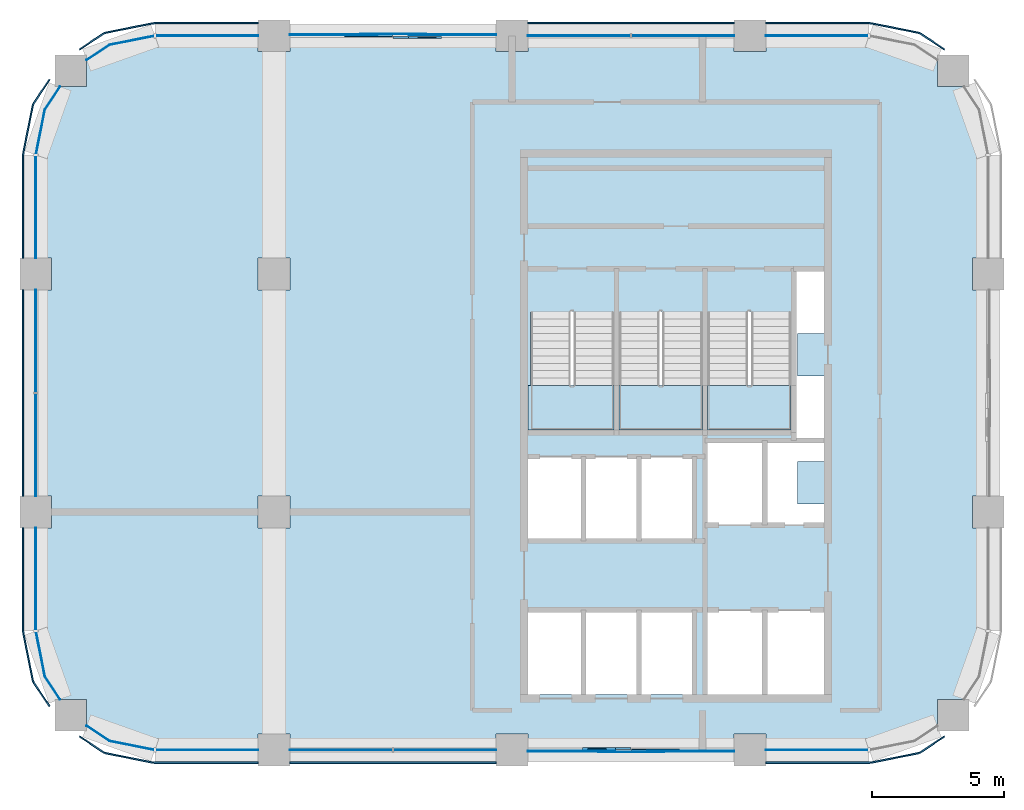
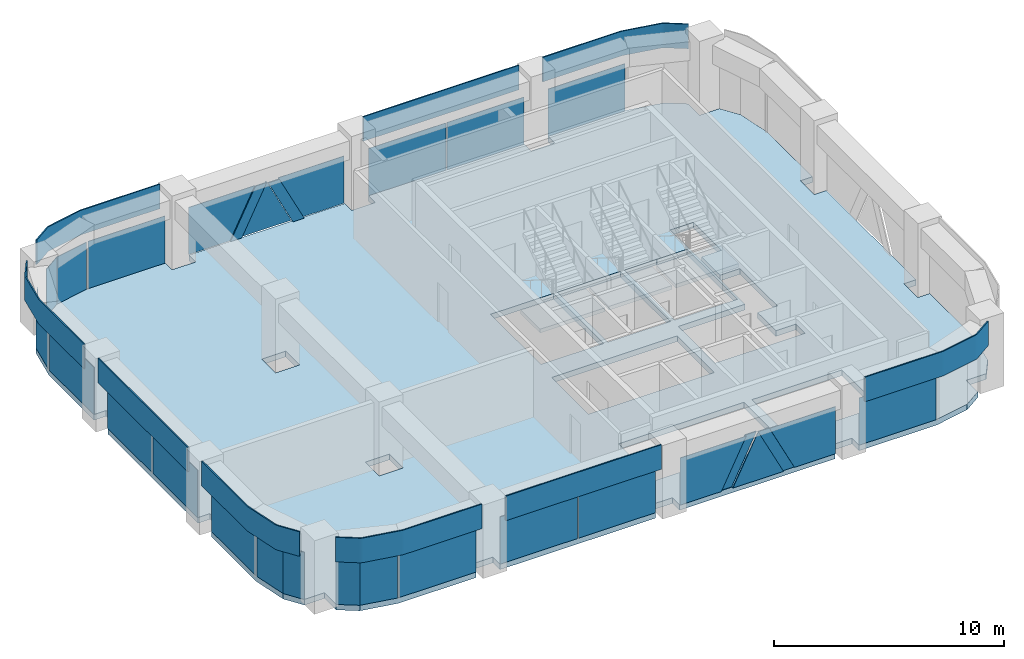
# One storey, part 5 of 9: 35 plates, 4 slabs, 14 elements without a shape of their own.
"""IFC4 building model written with IfcOpenShell, lengths in metres."""

from ifc_helpers import new_model, si_unit, direction, frame, origin, origin_2d, place, context, subcontext, project, spatial, polyline, rectangle, outline, extrude, material, layer, layer_set, type_object, element, aggregate, save


model = new_model("IFC4")

# Units and contexts
model_context = context("Model", 3, precision=1e-05, world=origin(), true_north=direction((0.0, 1.0)))
body_context = subcontext(model_context, "Body", "Model", "MODEL_VIEW")
ifc_project = project(units=[si_unit("LENGTHUNIT", "METRE"), si_unit("AREAUNIT", "SQUARE_METRE"), si_unit("VOLUMEUNIT", "CUBIC_METRE"), si_unit("PLANEANGLEUNIT", "RADIAN"), si_unit("MASSUNIT", "GRAM", prefix="KILO")], contexts=[model_context])

# Site, building, storey
site_placement = place(None, origin())
site = spatial("IfcSite", under=ifc_project, at=site_placement, CompositionType="ELEMENT")
building_placement = place(site_placement, origin())
building = spatial("IfcBuilding", under=site, at=building_placement, Name="Tessera Arch", CompositionType="ELEMENT")
storey_placement = place(building_placement, frame((0.0, 0.0, 305.10009765625)))
storey = spatial("IfcBuildingStorey", under=building, at=storey_placement, Name="L73", CompositionType="ELEMENT", Elevation=305.10009765625)

# Curtain wall, plates
ifc_material_1 = material(Name="CW1 curtain wall")
curtain_wall_type_1 = type_object("IfcCurtainWallType", Name="CW1 curtain wall", PredefinedType="NOTDEFINED", material=ifc_material_1)
curtain_wall_1_placement = place(storey_placement, origin())
curtain_wall_1 = element("IfcCurtainWall", 1, at=curtain_wall_1_placement, inside=storey, type_object=curtain_wall_type_1, Name="CW1 curtain wall N54.18/1 L73", PredefinedType="NOTDEFINED")
ifc_material_2 = material(Name="Clear low-e glass", Category="glass")
ifc_material_3 = material(Name="Clear low-e glass", Category="glass")
ifc_layer_1 = layer(ifc_material_3, 0.028076171875)
ifc_layer_set_1 = layer_set([ifc_layer_1], Name="CW1 glass panel")
plate_type_1 = type_object("IfcPlateType", Name="CW1 glass panel", PredefinedType="CURTAIN_PANEL", material=ifc_layer_set_1)
plate_1_placement = place(storey_placement, frame((42.465087890625, 54.0, 0.0), z_axis=(0.0, 0.0, 1.0), x_axis=(-1.0, 0.0, 0.0)))
plate_1 = element("IfcPlate", 2, at=plate_1_placement, type_object=plate_type_1, material=ifc_material_2, Name="CW1 glass panel N54.18/1 1.1.1", PredefinedType="CURTAIN_PANEL", context=body_context, shape_type="SweptSolid", body=[
    extrude(rectangle(XDim=3.8701171875, YDim=0.028076171875, at=origin_2d()), origin(), (0.0, 0.0, 1.0), 2.5),
])
plate_2_placement = place(storey_placement, frame((38.534912109375, 54.0, 0.0), z_axis=(0.0, 0.0, 1.0), x_axis=(-1.0, 0.0, 0.0)))
plate_2 = element("IfcPlate", 3, at=plate_2_placement, type_object=plate_type_1, material=ifc_material_2, Name="CW1 glass panel N54.18/1 1.2.1", PredefinedType="CURTAIN_PANEL", context=body_context, shape_type="SweptSolid", body=[
    extrude(rectangle(XDim=3.8701171875, YDim=0.028076171875, at=origin_2d()), origin(), (0.0, 0.0, 1.0), 2.5),
])

curtain_wall_2_placement = place(storey_placement, origin())
curtain_wall_2 = element("IfcCurtainWall", 4, at=curtain_wall_2_placement, inside=storey, type_object=curtain_wall_type_1, Name="CW1 curtain wall W18.27/1 L73", PredefinedType="NOTDEFINED")
plate_3_placement = place(storey_placement, frame((18.0, 42.465087890625, 0.0), z_axis=(0.0, 0.0, 1.0), x_axis=(0.0, -1.0, 0.0)))
plate_3 = element("IfcPlate", 5, at=plate_3_placement, type_object=plate_type_1, material=ifc_material_2, Name="CW1 glass panel W18.27/1 1.1.1", PredefinedType="CURTAIN_PANEL", context=body_context, shape_type="SweptSolid", body=[
    extrude(rectangle(XDim=3.8701171875, YDim=0.028076171875, at=origin_2d()), origin(), (0.0, 0.0, 1.0), 2.5),
])
plate_4_placement = place(storey_placement, frame((18.0, 38.534912109375, 0.0), z_axis=(0.0, 0.0, 1.0), x_axis=(0.0, -1.0, 0.0)))
plate_4 = element("IfcPlate", 6, at=plate_4_placement, type_object=plate_type_1, material=ifc_material_2, Name="CW1 glass panel W18.27/1 1.2.1", PredefinedType="CURTAIN_PANEL", context=body_context, shape_type="SweptSolid", body=[
    extrude(rectangle(XDim=3.8701171875, YDim=0.028076171875, at=origin_2d()), origin(), (0.0, 0.0, 1.0), 2.5),
])

curtain_wall_3_placement = place(storey_placement, origin())
curtain_wall_3 = element("IfcCurtainWall", 7, at=curtain_wall_3_placement, inside=storey, type_object=curtain_wall_type_1, Name="CW1 curtain wall S27.18/1 L73", PredefinedType="NOTDEFINED")
plate_5_placement = place(storey_placement, frame((29.534912109375, 27.0, 0.0), z_axis=(0.0, 0.0, 1.0), x_axis=(1.0, 0.0, 0.0)))
plate_5 = element("IfcPlate", 8, at=plate_5_placement, type_object=plate_type_1, material=ifc_material_2, Name="CW1 glass panel S27.18/1 1.1.1", PredefinedType="CURTAIN_PANEL", context=body_context, shape_type="SweptSolid", body=[
    extrude(rectangle(XDim=3.8701171875, YDim=0.028076171875, at=origin_2d()), origin(), (0.0, 0.0, 1.0), 2.5),
])
plate_6_placement = place(storey_placement, frame((33.465087890625, 27.0, 0.0), z_axis=(0.0, 0.0, 1.0), x_axis=(1.0, 0.0, 0.0)))
plate_6 = element("IfcPlate", 9, at=plate_6_placement, type_object=plate_type_1, material=ifc_material_2, Name="CW1 glass panel S27.18/1 1.2.1", PredefinedType="CURTAIN_PANEL", context=body_context, shape_type="SweptSolid", body=[
    extrude(rectangle(XDim=3.8701171875, YDim=0.028076171875, at=origin_2d()), origin(), (0.0, 0.0, 1.0), 2.5),
])

# Plate
ifc_material_4 = material(Name="Pale anodised aluminium panel", Category="aluminium")
ifc_layer_2 = layer(ifc_material_4, 0.06005859375)
ifc_layer_set_2 = layer_set([ifc_layer_2], Name="CW1 spandrel panel")
plate_type_2 = type_object("IfcPlateType", Name="CW1 spandrel panel", PredefinedType="CURTAIN_PANEL", material=ifc_layer_set_2)
plate_7_placement = place(storey_placement, frame((40.5, 54.47998046875, 2.60009765625), z_axis=(0.0, 0.0, 1.0), x_axis=(-1.0, 0.0, 0.0)))
plate_7 = element("IfcPlate", 10, at=plate_7_placement, type_object=plate_type_2, Name="CW1 spandrel panel N54.18/1", PredefinedType="CURTAIN_PANEL", context=body_context, shape_type="SweptSolid", body=[
    extrude(rectangle(XDim=7.800048828125, YDim=0.06005859375, at=origin_2d()), origin(), (0.0, 0.0, 1.0), 1.300048828125),
])

aggregate(curtain_wall_1, [plate_1, plate_2, plate_7])

plate_8_placement = place(storey_placement, frame((17.52001953125, 40.5, 2.60009765625), z_axis=(0.0, 0.0, 1.0), x_axis=(0.0, -1.0, 0.0)))
plate_8 = element("IfcPlate", 11, at=plate_8_placement, type_object=plate_type_2, Name="CW1 spandrel panel W18.27/1", PredefinedType="CURTAIN_PANEL", context=body_context, shape_type="SweptSolid", body=[
    extrude(rectangle(XDim=7.800048828125, YDim=0.06005859375, at=origin_2d()), origin(), (0.0, 0.0, 1.0), 1.300048828125),
])

aggregate(curtain_wall_2, [plate_3, plate_4, plate_8])

plate_9_placement = place(storey_placement, frame((31.5, 26.52001953125, 2.60009765625), z_axis=(0.0, 0.0, 1.0), x_axis=(1.0, 0.0, 0.0)))
plate_9 = element("IfcPlate", 12, at=plate_9_placement, type_object=plate_type_2, Name="CW1 spandrel panel S27.18/1", PredefinedType="CURTAIN_PANEL", context=body_context, shape_type="SweptSolid", body=[
    extrude(rectangle(XDim=7.800048828125, YDim=0.06005859375, at=origin_2d()), origin(), (0.0, 0.0, 1.0), 1.300048828125),
])

aggregate(curtain_wall_3, [plate_5, plate_6, plate_9])

# Curtain wall, plate
ifc_material_5 = material(Name="CW2 curtain wall")
curtain_wall_type_2 = type_object("IfcCurtainWallType", Name="CW2 curtain wall", PredefinedType="NOTDEFINED", material=ifc_material_5)
curtain_wall_4_placement = place(storey_placement, origin())
curtain_wall_4 = element("IfcCurtainWall", 13, at=curtain_wall_4_placement, inside=storey, type_object=curtain_wall_type_2, Name="CW2 curtain wall N54.18/0 L73", PredefinedType="NOTDEFINED")
ifc_material_6 = material(Name="Clear low-e glass", Category="glass")
ifc_layer_3 = layer(ifc_material_6, 0.028076171875)
ifc_layer_set_3 = layer_set([ifc_layer_3], Name="CW2 glass panel")
plate_type_3 = type_object("IfcPlateType", Name="CW2 glass panel", PredefinedType="CURTAIN_PANEL", material=ifc_layer_set_3)
plate_10_placement = place(storey_placement, frame((47.530029296875, 54.0, 0.0), z_axis=(0.0, 0.0, 1.0), x_axis=(-1.0, 0.0, 0.0)))
plate_10 = element("IfcPlate", 14, at=plate_10_placement, type_object=plate_type_3, material=ifc_material_2, Name="CW2 glass panel N54.18/0 1.1", PredefinedType="CURTAIN_PANEL", context=body_context, shape_type="SweptSolid", body=[
    extrude(rectangle(XDim=3.860107421875, YDim=0.028076171875, at=origin_2d()), origin(), (0.0, 0.0, 1.0), 2.5),
])

# Curtain wall, plates
curtain_wall_5_placement = place(storey_placement, origin())
curtain_wall_5 = element("IfcCurtainWall", 15, at=curtain_wall_5_placement, inside=storey, type_object=curtain_wall_type_2, Name="CW2 curtain wall N54.18/3 L73", PredefinedType="NOTDEFINED")
plate_11_placement = place(storey_placement, frame((24.469970703125, 54.0, 0.0), z_axis=(0.0, 0.0, 1.0), x_axis=(-1.0, 0.0, 0.0)))
plate_11 = element("IfcPlate", 16, at=plate_11_placement, type_object=plate_type_3, material=ifc_material_2, Name="CW2 glass panel N54.18/3 1.1", PredefinedType="CURTAIN_PANEL", context=body_context, shape_type="SweptSolid", body=[
    extrude(rectangle(XDim=3.860107421875, YDim=0.028076171875, at=origin_2d()), origin(), (0.0, 0.0, 1.0), 2.5),
])
plate_12_placement = place(storey_placement, origin())
plate_12 = element("IfcPlate", 17, at=plate_12_placement, type_object=plate_type_3, material=ifc_material_2, Name="CW2 curved glass panel N54.18/3 2.1", PredefinedType="CURTAIN_PANEL", context=body_context, shape_type="SweptSolid", body=[
    extrude(outline(polyline([(20.783447265625, 53.644287109375), (22.46337890625, 53.978515625), (22.4580078125, 54.005859375), (20.7724609375, 53.670654296875), (19.91015625, 53.094482421875), (19.92578125, 53.0712890625), (20.783447265625, 53.644287109375)])), origin(), (0.0, 0.0, 1.0), 2.5),
])

curtain_wall_6_placement = place(storey_placement, origin())
curtain_wall_6 = element("IfcCurtainWall", 18, at=curtain_wall_6_placement, inside=storey, type_object=curtain_wall_type_2, Name="CW2 curtain wall W18.27/0 L73", PredefinedType="NOTDEFINED")
plate_13_placement = place(storey_placement, frame((18.0, 47.530029296875, 0.0), z_axis=(0.0, 0.0, 1.0), x_axis=(0.0, -1.0, 0.0)))
plate_13 = element("IfcPlate", 19, at=plate_13_placement, type_object=plate_type_3, material=ifc_material_2, Name="CW2 glass panel W18.27/0 1.1", PredefinedType="CURTAIN_PANEL", context=body_context, shape_type="SweptSolid", body=[
    extrude(rectangle(XDim=3.860107421875, YDim=0.028076171875, at=origin_2d()), origin(), (0.0, 0.0, 1.0), 2.5),
])
plate_14_placement = place(storey_placement, origin())
plate_14 = element("IfcPlate", 20, at=plate_14_placement, type_object=plate_type_3, material=ifc_material_2, Name="CW2 curved glass panel W18.27/0 2.1", PredefinedType="CURTAIN_PANEL", context=body_context, shape_type="SweptSolid", body=[
    extrude(outline(polyline([(18.355712890625, 51.216552734375), (18.9287109375, 52.07421875), (18.905517578125, 52.08984375), (18.329345703125, 51.2275390625), (17.994140625, 49.5419921875), (18.021484375, 49.53662109375), (18.355712890625, 51.216552734375)])), origin(), (0.0, 0.0, 1.0), 2.5),
])

curtain_wall_7_placement = place(storey_placement, origin())
curtain_wall_7 = element("IfcCurtainWall", 21, at=curtain_wall_7_placement, inside=storey, type_object=curtain_wall_type_2, Name="CW2 curtain wall W18.27/2 L73", PredefinedType="NOTDEFINED")
plate_15_placement = place(storey_placement, frame((18.0, 33.469970703125, 0.0), z_axis=(0.0, 0.0, 1.0), x_axis=(0.0, -1.0, 0.0)))
plate_15 = element("IfcPlate", 22, at=plate_15_placement, type_object=plate_type_3, material=ifc_material_2, Name="CW2 glass panel W18.27/2 1.1", PredefinedType="CURTAIN_PANEL", context=body_context, shape_type="SweptSolid", body=[
    extrude(rectangle(XDim=3.860107421875, YDim=0.028076171875, at=origin_2d()), origin(), (0.0, 0.0, 1.0), 2.5),
])
plate_16_placement = place(storey_placement, origin())
plate_16 = element("IfcPlate", 23, at=plate_16_placement, type_object=plate_type_3, material=ifc_material_2, Name="CW2 curved glass panel W18.27/2 2.1", PredefinedType="CURTAIN_PANEL", context=body_context, shape_type="SweptSolid", body=[
    extrude(outline(polyline([(18.355712890625, 29.783447265625), (18.021484375, 31.46337890625), (17.994140625, 31.4580078125), (18.329345703125, 29.7724609375), (18.905517578125, 28.91015625), (18.9287109375, 28.92578125), (18.355712890625, 29.783447265625)])), origin(), (0.0, 0.0, 1.0), 2.5),
])

curtain_wall_8_placement = place(storey_placement, origin())
curtain_wall_8 = element("IfcCurtainWall", 24, at=curtain_wall_8_placement, inside=storey, type_object=curtain_wall_type_2, Name="CW2 curtain wall S27.18/0 L73", PredefinedType="NOTDEFINED")
plate_17_placement = place(storey_placement, frame((24.469970703125, 27.0, 0.0), z_axis=(0.0, 0.0, 1.0), x_axis=(1.0, 0.0, 0.0)))
plate_17 = element("IfcPlate", 25, at=plate_17_placement, type_object=plate_type_3, material=ifc_material_2, Name="CW2 glass panel S27.18/0 1.1", PredefinedType="CURTAIN_PANEL", context=body_context, shape_type="SweptSolid", body=[
    extrude(rectangle(XDim=3.860107421875, YDim=0.028076171875, at=origin_2d()), origin(), (0.0, 0.0, 1.0), 2.5),
])
plate_18_placement = place(storey_placement, origin())
plate_18 = element("IfcPlate", 26, at=plate_18_placement, type_object=plate_type_3, material=ifc_material_2, Name="CW2 curved glass panel S27.18/0 2.1", PredefinedType="CURTAIN_PANEL", context=body_context, shape_type="SweptSolid", body=[
    extrude(outline(polyline([(20.783447265625, 27.355712890625), (19.92578125, 27.9287109375), (19.91015625, 27.905517578125), (20.7724609375, 27.329345703125), (22.4580078125, 26.994140625), (22.46337890625, 27.021484375), (20.783447265625, 27.355712890625)])), origin(), (0.0, 0.0, 1.0), 2.5),
])

# Curtain wall, plate
curtain_wall_9_placement = place(storey_placement, origin())
curtain_wall_9 = element("IfcCurtainWall", 27, at=curtain_wall_9_placement, inside=storey, type_object=curtain_wall_type_2, Name="CW2 curtain wall S27.18/3 L73", PredefinedType="NOTDEFINED")
plate_19_placement = place(storey_placement, frame((47.530029296875, 27.0, 0.0), z_axis=(0.0, 0.0, 1.0), x_axis=(1.0, 0.0, 0.0)))
plate_19 = element("IfcPlate", 28, at=plate_19_placement, type_object=plate_type_3, material=ifc_material_2, Name="CW2 glass panel S27.18/3 1.1", PredefinedType="CURTAIN_PANEL", context=body_context, shape_type="SweptSolid", body=[
    extrude(rectangle(XDim=3.860107421875, YDim=0.028076171875, at=origin_2d()), origin(), (0.0, 0.0, 1.0), 2.5),
])

# Plate
ifc_material_7 = material(Name="Pale anodised aluminium panel", Category="aluminium")
ifc_layer_4 = layer(ifc_material_7, 0.06005859375)
ifc_layer_set_4 = layer_set([ifc_layer_4], Name="CW2 spandrel panel")
plate_type_4 = type_object("IfcPlateType", Name="CW2 spandrel panel", PredefinedType="CURTAIN_PANEL", material=ifc_layer_set_4)
plate_20_placement = place(storey_placement, frame((0.0, 0.0, 2.599853515625)))
plate_20 = element("IfcPlate", 29, at=plate_20_placement, type_object=plate_type_4, Name="CW2 spandrel panel N54.18/0", PredefinedType="CURTAIN_PANEL", context=body_context, shape_type="SweptSolid", body=[
    extrude(outline(polyline([(51.47265625, 54.03125), (52.33203125, 53.45703125), (52.365234375, 53.5068359375), (51.5048828125, 54.08203125), (51.462646484375, 54.107421875), (51.417236328125, 54.128662109375), (51.3701171875, 54.1455078125), (51.322265625, 54.157470703125), (49.598876953125, 54.500244140625), (49.550048828125, 54.507568359375), (49.500732421875, 54.510009765625), (45.60009765625, 54.510009765625), (45.60009765625, 54.449951171875), (49.499267578125, 54.449951171875), (49.544189453125, 54.44775390625), (49.588623046875, 54.441162109375), (51.30908203125, 54.09912109375), (51.352783203125, 54.088134765625), (51.394287109375, 54.0732421875), (51.434326171875, 54.054443359375), (51.47265625, 54.03125)])), origin(), (0.0, 0.0, 1.0), 1.300048828125),
])

aggregate(curtain_wall_4, [plate_10, plate_20])

plate_21_placement = place(storey_placement, frame((0.0, 0.0, 2.599853515625)))
plate_21 = element("IfcPlate", 30, at=plate_21_placement, type_object=plate_type_4, Name="CW2 spandrel panel N54.18/3", PredefinedType="CURTAIN_PANEL", context=body_context, shape_type="SweptSolid", body=[
    extrude(outline(polyline([(22.500732421875, 54.449951171875), (26.39990234375, 54.449951171875), (26.39990234375, 54.510009765625), (22.499267578125, 54.510009765625), (22.449951171875, 54.507568359375), (22.401123046875, 54.500244140625), (20.677734375, 54.157470703125), (20.6298828125, 54.1455078125), (20.582763671875, 54.128662109375), (20.537353515625, 54.107421875), (20.4951171875, 54.08203125), (19.634765625, 53.5068359375), (19.66796875, 53.45703125), (20.52734375, 54.03125), (20.565673828125, 54.054443359375), (20.605712890625, 54.0732421875), (20.647216796875, 54.088134765625), (20.69091796875, 54.09912109375), (22.411376953125, 54.441162109375), (22.455810546875, 54.44775390625), (22.500732421875, 54.449951171875)])), origin(), (0.0, 0.0, 1.0), 1.300048828125),
])

aggregate(curtain_wall_5, [plate_11, plate_12, plate_21])

plate_22_placement = place(storey_placement, frame((0.0, 0.0, 2.599853515625)))
plate_22 = element("IfcPlate", 31, at=plate_22_placement, type_object=plate_type_4, Name="CW2 spandrel panel W18.27/0", PredefinedType="CURTAIN_PANEL", context=body_context, shape_type="SweptSolid", body=[
    extrude(outline(polyline([(17.96875, 51.47265625), (18.54296875, 52.33203125), (18.4931640625, 52.365234375), (17.91796875, 51.5048828125), (17.892578125, 51.462646484375), (17.871337890625, 51.417236328125), (17.8544921875, 51.3701171875), (17.842529296875, 51.322265625), (17.499755859375, 49.598876953125), (17.492431640625, 49.550048828125), (17.489990234375, 49.500732421875), (17.489990234375, 45.60009765625), (17.550048828125, 45.60009765625), (17.550048828125, 49.499267578125), (17.55224609375, 49.544189453125), (17.558837890625, 49.588623046875), (17.90087890625, 51.30908203125), (17.911865234375, 51.352783203125), (17.9267578125, 51.394287109375), (17.945556640625, 51.434326171875), (17.96875, 51.47265625)])), origin(), (0.0, 0.0, 1.0), 1.300048828125),
])

aggregate(curtain_wall_6, [plate_13, plate_14, plate_22])

plate_23_placement = place(storey_placement, frame((0.0, 0.0, 2.599853515625)))
plate_23 = element("IfcPlate", 32, at=plate_23_placement, type_object=plate_type_4, Name="CW2 spandrel panel W18.27/2", PredefinedType="CURTAIN_PANEL", context=body_context, shape_type="SweptSolid", body=[
    extrude(outline(polyline([(17.550048828125, 31.500732421875), (17.550048828125, 35.39990234375), (17.489990234375, 35.39990234375), (17.489990234375, 31.499267578125), (17.492431640625, 31.449951171875), (17.499755859375, 31.401123046875), (17.842529296875, 29.677734375), (17.8544921875, 29.6298828125), (17.871337890625, 29.582763671875), (17.892578125, 29.537353515625), (17.91796875, 29.4951171875), (18.4931640625, 28.634765625), (18.54296875, 28.66796875), (17.96875, 29.52734375), (17.945556640625, 29.565673828125), (17.9267578125, 29.605712890625), (17.911865234375, 29.647216796875), (17.90087890625, 29.69091796875), (17.558837890625, 31.411376953125), (17.55224609375, 31.455810546875), (17.550048828125, 31.500732421875)])), origin(), (0.0, 0.0, 1.0), 1.300048828125),
])

aggregate(curtain_wall_7, [plate_15, plate_16, plate_23])

plate_24_placement = place(storey_placement, frame((0.0, 0.0, 2.599853515625)))
plate_24 = element("IfcPlate", 33, at=plate_24_placement, type_object=plate_type_4, Name="CW2 spandrel panel S27.18/0", PredefinedType="CURTAIN_PANEL", context=body_context, shape_type="SweptSolid", body=[
    extrude(outline(polyline([(20.52734375, 26.96875), (19.66796875, 27.54296875), (19.634765625, 27.4931640625), (20.4951171875, 26.91796875), (20.537353515625, 26.892578125), (20.582763671875, 26.871337890625), (20.6298828125, 26.8544921875), (20.677734375, 26.842529296875), (22.401123046875, 26.499755859375), (22.449951171875, 26.492431640625), (22.499267578125, 26.489990234375), (26.39990234375, 26.489990234375), (26.39990234375, 26.550048828125), (22.500732421875, 26.550048828125), (22.455810546875, 26.55224609375), (22.411376953125, 26.558837890625), (20.69091796875, 26.90087890625), (20.647216796875, 26.911865234375), (20.605712890625, 26.9267578125), (20.565673828125, 26.945556640625), (20.52734375, 26.96875)])), origin(), (0.0, 0.0, 1.0), 1.300048828125),
])

aggregate(curtain_wall_8, [plate_17, plate_18, plate_24])

plate_25_placement = place(storey_placement, frame((0.0, 0.0, 2.599853515625)))
plate_25 = element("IfcPlate", 34, at=plate_25_placement, type_object=plate_type_4, Name="CW2 spandrel panel S27.18/3", PredefinedType="CURTAIN_PANEL", context=body_context, shape_type="SweptSolid", body=[
    extrude(outline(polyline([(49.499267578125, 26.550048828125), (45.60009765625, 26.550048828125), (45.60009765625, 26.489990234375), (49.500732421875, 26.489990234375), (49.550048828125, 26.492431640625), (49.598876953125, 26.499755859375), (51.322265625, 26.842529296875), (51.3701171875, 26.8544921875), (51.417236328125, 26.871337890625), (51.462646484375, 26.892578125), (51.5048828125, 26.91796875), (52.365234375, 27.4931640625), (52.33203125, 27.54296875), (51.47265625, 26.96875), (51.434326171875, 26.945556640625), (51.394287109375, 26.9267578125), (51.352783203125, 26.911865234375), (51.30908203125, 26.90087890625), (49.588623046875, 26.558837890625), (49.544189453125, 26.55224609375), (49.499267578125, 26.550048828125)])), origin(), (0.0, 0.0, 1.0), 1.300048828125),
])

aggregate(curtain_wall_9, [plate_19, plate_25])

# Curtain wall, plates
ifc_material_8 = material(Name="CW3 curtain wall")
curtain_wall_type_3 = type_object("IfcCurtainWallType", Name="CW3 curtain wall", PredefinedType="NOTDEFINED", material=ifc_material_8)
curtain_wall_10_placement = place(storey_placement, origin())
curtain_wall_10 = element("IfcCurtainWall", 35, at=curtain_wall_10_placement, inside=storey, type_object=curtain_wall_type_3, Name="CW3 curtain wall N54.18/2 L73", PredefinedType="NOTDEFINED")
ifc_material_9 = material(Name="Pale anodised aluminium panel", Category="aluminium")
ifc_layer_5 = layer(ifc_material_9, 0.06005859375)
ifc_layer_set_5 = layer_set([ifc_layer_5], Name="CW3 diagonal panel")
plate_type_5 = type_object("IfcPlateType", Name="CW3 diagonal panel", PredefinedType="CURTAIN_PANEL", material=ifc_layer_set_5)
plate_26_placement = place(storey_placement, frame((30.917724609375, 54.030029296875, 2.5), z_axis=(0.0, 1.0, 0.0), x_axis=(1.0, 0.0, 0.0)))
plate_26 = element("IfcPlate", 36, at=plate_26_placement, type_object=plate_type_5, Name="CW3 diagonal panel N54.18/2 1", PredefinedType="CURTAIN_PANEL", context=body_context, shape_type="SweptSolid", body=[
    extrude(outline(polyline([(0.0, 0.0), (0.564453125, 0.0), (-0.685546875, 2.5), (-1.25, 2.5), (0.0, 0.0)])), origin(), (0.0, 0.0, -1.0), 0.06005859375),
])
plate_27_placement = place(storey_placement, frame((31.517822265625, 53.969970703125, 2.5), z_axis=(0.0, 1.0, 0.0), x_axis=(1.0, 0.0, 0.0)))
plate_27 = element("IfcPlate", 37, at=plate_27_placement, type_object=plate_type_5, Name="CW3 diagonal panel N54.18/2 2", PredefinedType="CURTAIN_PANEL", context=body_context, shape_type="SweptSolid", body=[
    extrude(outline(polyline([(0.0, 0.0), (0.564453125, 0.0), (1.814453125, 2.5), (1.25, 2.5), (0.0, 0.0)])), origin(), (0.0, 0.0, -1.0), 0.06005859375),
])

curtain_wall_11_placement = place(storey_placement, origin())
curtain_wall_11 = element("IfcCurtainWall", 38, at=curtain_wall_11_placement, inside=storey, type_object=curtain_wall_type_3, Name="CW3 curtain wall S27.18/2 L73", PredefinedType="NOTDEFINED")
plate_28_placement = place(storey_placement, frame((41.082275390625, 26.969970703125, 2.5), z_axis=(0.0, -1.0, 0.0), x_axis=(-1.0, 0.0, 0.0)))
plate_28 = element("IfcPlate", 39, at=plate_28_placement, type_object=plate_type_5, Name="CW3 diagonal panel S27.18/2 1", PredefinedType="CURTAIN_PANEL", context=body_context, shape_type="SweptSolid", body=[
    extrude(outline(polyline([(0.0, 0.0), (0.564453125, 0.0), (-0.685546875, 2.5), (-1.25, 2.5), (0.0, 0.0)])), origin(), (0.0, 0.0, -1.0), 0.06005859375),
])
plate_29_placement = place(storey_placement, frame((40.482177734375, 27.030029296875, 2.5), z_axis=(0.0, -1.0, 0.0), x_axis=(-1.0, 0.0, 0.0)))
plate_29 = element("IfcPlate", 40, at=plate_29_placement, type_object=plate_type_5, Name="CW3 diagonal panel S27.18/2 2", PredefinedType="CURTAIN_PANEL", context=body_context, shape_type="SweptSolid", body=[
    extrude(outline(polyline([(0.0, 0.0), (0.564453125, 0.0), (1.814453125, 2.5), (1.25, 2.5), (0.0, 0.0)])), origin(), (0.0, 0.0, -1.0), 0.06005859375),
])

# Plate
ifc_material_10 = material(Name="Clear low-e glass", Category="glass")
ifc_layer_6 = layer(ifc_material_10, 0.028076171875)
ifc_layer_set_6 = layer_set([ifc_layer_6], Name="CW3 glass panel")
plate_type_6 = type_object("IfcPlateType", Name="CW3 glass panel", PredefinedType="CURTAIN_PANEL", material=ifc_layer_set_6)
plate_30_placement = place(storey_placement, frame((35.39990234375, 54.05810546875, 0.0), z_axis=(0.0, 1.0, 0.0), x_axis=(-1.0, 0.0, 0.0)))
plate_30 = element("IfcPlate", 41, at=plate_30_placement, type_object=plate_type_6, material=ifc_material_2, Name="CW3 triangulated glass panel N54.18/2 1", PredefinedType="CURTAIN_PANEL", context=body_context, shape_type="SweptSolid", body=[
    extrude(outline(polyline([(0.0, 0.0), (2.067626953125, 0.0), (3.317626953125, 2.5), (0.0, 2.5), (0.0, 0.0)])), origin(), (0.0, 0.0, -1.0), 0.028076171875),
])

plate_31_placement = place(storey_placement, frame((31.482177734375, 54.0859375, 2.5), z_axis=(0.0, 1.0, 0.0), x_axis=(1.0, 0.0, 0.0)))
plate_31 = element("IfcPlate", 42, at=plate_31_placement, type_object=plate_type_6, material=ifc_material_2, Name="CW3 triangulated glass panel N54.18/2 2", PredefinedType="CURTAIN_PANEL", context=body_context, shape_type="SweptSolid", body=[
    extrude(outline(polyline([(0.0, 0.0), (0.03564453125, 0.0), (1.28564453125, 2.5), (-1.25, 2.5), (0.0, 0.0)])), origin(), (0.0, 0.0, -1.0), 0.028076171875),
])

plate_32_placement = place(storey_placement, frame((27.60009765625, 54.05810546875, 2.5), z_axis=(0.0, 1.0, 0.0), x_axis=(1.0, 0.0, 0.0)))
plate_32 = element("IfcPlate", 43, at=plate_32_placement, type_object=plate_type_6, material=ifc_material_2, Name="CW3 triangulated glass panel N54.18/2 3", PredefinedType="CURTAIN_PANEL", context=body_context, shape_type="SweptSolid", body=[
    extrude(outline(polyline([(0.0, 0.0), (3.317626953125, 0.0), (2.067626953125, 2.5), (0.0, 2.5), (0.0, 0.0)])), origin(), (0.0, 0.0, -1.0), 0.028076171875),
])

aggregate(curtain_wall_10, [plate_30, plate_31, plate_32, plate_26, plate_27])

plate_33_placement = place(storey_placement, frame((36.60009765625, 26.94189453125, 0.0), z_axis=(0.0, -1.0, 0.0), x_axis=(1.0, 0.0, 0.0)))
plate_33 = element("IfcPlate", 44, at=plate_33_placement, type_object=plate_type_6, material=ifc_material_2, Name="CW3 triangulated glass panel S27.18/2 1", PredefinedType="CURTAIN_PANEL", context=body_context, shape_type="SweptSolid", body=[
    extrude(outline(polyline([(0.0, 0.0), (2.067626953125, 0.0), (3.317626953125, 2.5), (0.0, 2.5), (0.0, 0.0)])), origin(), (0.0, 0.0, -1.0), 0.028076171875),
])

plate_34_placement = place(storey_placement, frame((40.517822265625, 26.9140625, 2.5), z_axis=(0.0, -1.0, 0.0), x_axis=(-1.0, 0.0, 0.0)))
plate_34 = element("IfcPlate", 45, at=plate_34_placement, type_object=plate_type_6, material=ifc_material_2, Name="CW3 triangulated glass panel S27.18/2 2", PredefinedType="CURTAIN_PANEL", context=body_context, shape_type="SweptSolid", body=[
    extrude(outline(polyline([(0.0, 0.0), (0.03564453125, 0.0), (1.28564453125, 2.5), (-1.25, 2.5), (0.0, 0.0)])), origin(), (0.0, 0.0, -1.0), 0.028076171875),
])

plate_35_placement = place(storey_placement, frame((44.39990234375, 26.94189453125, 2.5), z_axis=(0.0, -1.0, 0.0), x_axis=(-1.0, 0.0, 0.0)))
plate_35 = element("IfcPlate", 46, at=plate_35_placement, type_object=plate_type_6, material=ifc_material_2, Name="CW3 triangulated glass panel S27.18/2 3", PredefinedType="CURTAIN_PANEL", context=body_context, shape_type="SweptSolid", body=[
    extrude(outline(polyline([(0.0, 0.0), (3.317626953125, 0.0), (2.067626953125, 2.5), (0.0, 2.5), (0.0, 0.0)])), origin(), (0.0, 0.0, -1.0), 0.028076171875),
])

aggregate(curtain_wall_11, [plate_33, plate_34, plate_35, plate_28, plate_29])

# Slab
ifc_material_11 = material(Name="Concrete C40/50", Category="concrete")
ifc_layer_7 = layer(ifc_material_11, 0.300048828125)
ifc_layer_set_7 = layer_set([ifc_layer_7], Name="Floor slab 300 Concrete C40/50")
slab_type_1 = type_object("IfcSlabType", Name="Floor slab 300 Concrete C40/50", PredefinedType="FLOOR", material=ifc_layer_set_7)
slab_1_placement = place(storey_placement, frame((0.0, 0.0, -0.300048828125)))
element("IfcSlab", 47, at=slab_1_placement, inside=storey, type_object=slab_type_1, Name="Floor slab L73 1", PredefinedType="FLOOR", context=body_context, shape_type="SweptSolid", body=[
    extrude(outline(polyline([(54.0, 31.5), (53.657470703125, 29.77783203125), (53.0830078125, 28.91796875), (52.08203125, 28.91796875), (52.08203125, 27.9169921875), (51.22216796875, 27.342529296875), (49.5, 27.0), (45.60009765625, 27.0), (45.60009765625, 27.60009765625), (44.39990234375, 27.60009765625), (44.39990234375, 27.0), (36.60009765625, 27.0), (36.60009765625, 27.60009765625), (35.39990234375, 27.60009765625), (35.39990234375, 27.0), (27.60009765625, 27.0), (27.60009765625, 27.60009765625), (26.39990234375, 27.60009765625), (26.39990234375, 27.0), (22.5, 27.0), (20.77783203125, 27.342529296875), (19.91796875, 27.9169921875), (19.91796875, 28.91796875), (18.9169921875, 28.91796875), (18.342529296875, 29.77783203125), (18.0, 31.5), (18.0, 35.39990234375), (18.60009765625, 35.39990234375), (18.60009765625, 36.60009765625), (18.0, 36.60009765625), (18.0, 44.39990234375), (18.60009765625, 44.39990234375), (18.60009765625, 45.60009765625), (18.0, 45.60009765625), (18.0, 49.5), (18.342529296875, 51.22216796875), (18.9169921875, 52.08203125), (19.91796875, 52.08203125), (19.91796875, 53.0830078125), (20.77783203125, 53.657470703125), (22.5, 54.0), (26.39990234375, 54.0), (26.39990234375, 53.39990234375), (27.60009765625, 53.39990234375), (27.60009765625, 54.0), (35.39990234375, 54.0), (35.39990234375, 53.39990234375), (36.60009765625, 53.39990234375), (36.60009765625, 54.0), (44.39990234375, 54.0), (44.39990234375, 53.39990234375), (45.60009765625, 53.39990234375), (45.60009765625, 54.0), (49.5, 54.0), (51.22216796875, 53.657470703125), (52.08203125, 53.0830078125), (52.08203125, 52.08203125), (53.0830078125, 52.08203125), (53.657470703125, 51.22216796875), (54.0, 49.5), (54.0, 45.60009765625), (53.39990234375, 45.60009765625), (53.39990234375, 44.39990234375), (54.0, 44.39990234375), (54.0, 36.60009765625), (53.39990234375, 36.60009765625), (53.39990234375, 35.39990234375), (54.0, 35.39990234375), (54.0, 31.5)]), holes=[polyline([(40.800048828125, 29.10009765625), (42.89990234375, 29.10009765625), (42.89990234375, 32.300048828125), (40.800048828125, 32.300048828125), (38.699951171875, 32.300048828125), (36.60009765625, 32.300048828125), (36.60009765625, 29.10009765625), (38.699951171875, 29.10009765625), (40.800048828125, 29.10009765625)]), polyline([(27.60009765625, 35.39990234375), (27.60009765625, 36.60009765625), (26.39990234375, 36.60009765625), (26.39990234375, 35.39990234375), (27.60009765625, 35.39990234375)]), polyline([(40.800048828125, 34.89990234375), (42.89990234375, 34.89990234375), (42.89990234375, 38.10009765625), (40.800048828125, 38.10009765625), (38.699951171875, 38.10009765625), (36.60009765625, 38.10009765625), (36.60009765625, 34.89990234375), (38.699951171875, 34.89990234375), (40.800048828125, 34.89990234375)]), polyline([(38.219970703125, 43.580078125), (38.219970703125, 43.570068359375), (36.699951171875, 43.570068359375), (36.699951171875, 39.199951171875), (39.85009765625, 39.199951171875), (39.85009765625, 43.570068359375), (38.330078125, 43.570068359375), (38.330078125, 43.580078125), (38.219970703125, 43.580078125)]), polyline([(27.60009765625, 44.39990234375), (27.60009765625, 45.60009765625), (26.39990234375, 45.60009765625), (26.39990234375, 44.39990234375), (27.60009765625, 44.39990234375)]), polyline([(47.800048828125, 32.300048828125), (45.550048828125, 32.300048828125), (43.300048828125, 32.300048828125), (43.300048828125, 29.10009765625), (45.550048828125, 29.10009765625), (47.800048828125, 29.10009765625), (47.800048828125, 32.300048828125)]), polyline([(46.64990234375, 38.699951171875), (45.550048828125, 38.699951171875), (43.300048828125, 38.699951171875), (43.300048828125, 35.5), (45.550048828125, 35.5), (47.800048828125, 35.5), (47.800048828125, 36.300048828125), (46.800048828125, 36.300048828125), (46.800048828125, 37.89990234375), (47.800048828125, 37.89990234375), (47.800048828125, 38.699951171875), (47.800048828125, 41.14990234375), (46.800048828125, 41.14990234375), (46.800048828125, 42.75), (47.800048828125, 42.75), (47.800048828125, 45.199951171875), (46.64990234375, 45.199951171875), (46.64990234375, 38.699951171875)]), polyline([(41.570068359375, 43.580078125), (41.570068359375, 43.570068359375), (40.050048828125, 43.570068359375), (40.050048828125, 39.199951171875), (43.199951171875, 39.199951171875), (43.199951171875, 43.570068359375), (41.679931640625, 43.570068359375), (41.679931640625, 43.580078125), (41.570068359375, 43.580078125)]), polyline([(44.919921875, 43.580078125), (44.919921875, 43.570068359375), (43.39990234375, 43.570068359375), (43.39990234375, 39.199951171875), (46.550048828125, 39.199951171875), (46.550048828125, 43.570068359375), (45.030029296875, 43.570068359375), (45.030029296875, 43.580078125), (44.919921875, 43.580078125)])]), origin(), (0.0, 0.0, 1.0), 0.300048828125),
])

# Stair, slab
ifc_material_12 = material(Name="Concrete C40/50", Category="concrete")
stair_type = type_object("IfcStairType", Name="Dogleg stair 1520", PredefinedType="HALF_TURN_STAIR", material=ifc_material_12)
stair_1_placement = place(storey_placement, origin())
stair_1 = element("IfcStair", 48, at=stair_1_placement, inside=storey, type_object=stair_type, Name="L73 S1a", PredefinedType="HALF_TURN_STAIR")
ifc_material_13 = material(Name="Concrete C40/50", Category="concrete")
ifc_layer_8 = layer(ifc_material_13, 0.300048828125)
ifc_layer_set_8 = layer_set([ifc_layer_8], Name="Stair landing 300")
slab_type_2 = type_object("IfcSlabType", Name="Stair landing 300", PredefinedType="LANDING", material=ifc_layer_set_8)
slab_2_placement = place(storey_placement, frame((0.0, 0.0, 1.75)))
slab_2 = element("IfcSlab", 49, at=slab_2_placement, type_object=slab_type_2, Name="S1a landing 1", PredefinedType="LANDING", context=body_context, shape_type="SweptSolid", body=[
    extrude(outline(polyline([(36.60009765625, 40.780029296875), (36.60009765625, 39.10009765625), (39.85009765625, 39.10009765625), (39.85009765625, 40.780029296875), (36.60009765625, 40.780029296875)])), origin(), (0.0, 0.0, 1.0), 0.199951171875),
])
aggregate(stair_1, [slab_2])

stair_2_placement = place(storey_placement, origin())
stair_2 = element("IfcStair", 50, at=stair_2_placement, inside=storey, type_object=stair_type, Name="L73 S1b", PredefinedType="HALF_TURN_STAIR")
slab_3_placement = place(storey_placement, frame((0.0, 0.0, 1.75)))
slab_3 = element("IfcSlab", 51, at=slab_3_placement, type_object=slab_type_2, Name="S1b landing 1", PredefinedType="LANDING", context=body_context, shape_type="SweptSolid", body=[
    extrude(outline(polyline([(40.050048828125, 40.780029296875), (40.050048828125, 39.10009765625), (43.199951171875, 39.10009765625), (43.199951171875, 40.780029296875), (40.050048828125, 40.780029296875)])), origin(), (0.0, 0.0, 1.0), 0.199951171875),
])
aggregate(stair_2, [slab_3])

stair_3_placement = place(storey_placement, origin())
stair_3 = element("IfcStair", 52, at=stair_3_placement, inside=storey, type_object=stair_type, Name="L73 S1c", PredefinedType="HALF_TURN_STAIR")
slab_4_placement = place(storey_placement, frame((0.0, 0.0, 1.75)))
slab_4 = element("IfcSlab", 53, at=slab_4_placement, type_object=slab_type_2, Name="S1c landing 1", PredefinedType="LANDING", context=body_context, shape_type="SweptSolid", body=[
    extrude(outline(polyline([(43.39990234375, 40.780029296875), (43.39990234375, 39.10009765625), (46.550048828125, 39.10009765625), (46.550048828125, 40.780029296875), (43.39990234375, 40.780029296875)])), origin(), (0.0, 0.0, 1.0), 0.199951171875),
])
aggregate(stair_3, [slab_4])

save(model, "model.ifc")
